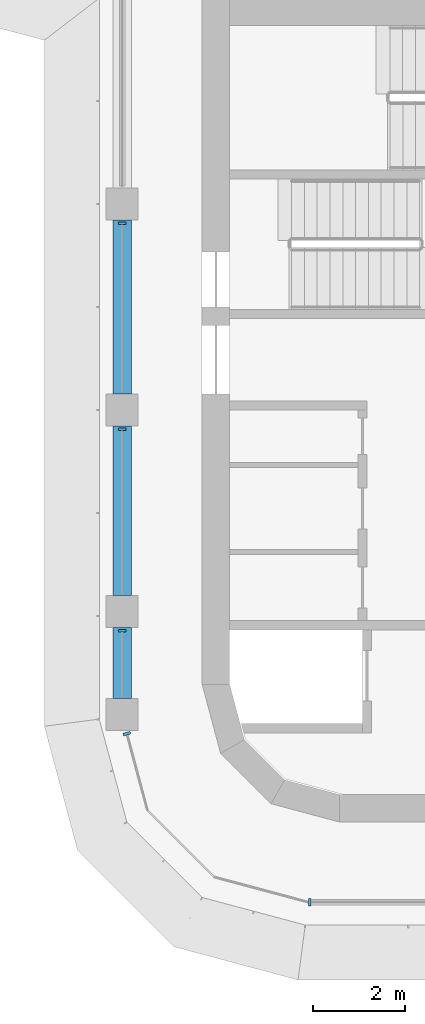
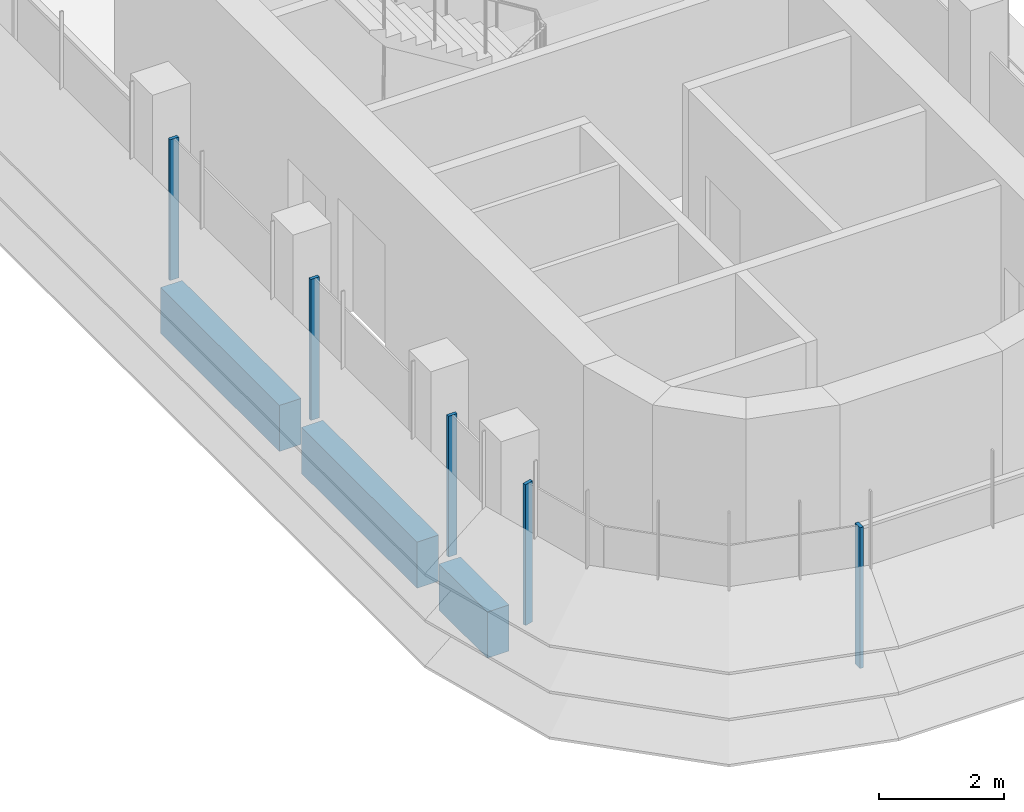
# One storey, part 2 of 19: 5 members, 3 beams, 3 elements without a shape of their own.
"""IFC4 building model written with IfcOpenShell, lengths in metres."""

from ifc_helpers import new_model, si_unit, direction, frame, origin, origin_2d, place, context, subcontext, project, spatial, polyline, rectangle, outline, extrude, source, transform, mapped, material, material_profile, profile_set, type_object, element, aggregate, save


model = new_model("IFC4")

# Units and contexts
model_context = context("Model", 3, precision=1e-05, world=origin(), true_north=direction((0.0, 1.0)))
body_context = subcontext(model_context, "Body", "Model", "MODEL_VIEW")
ifc_project = project(units=[si_unit("LENGTHUNIT", "METRE"), si_unit("AREAUNIT", "SQUARE_METRE"), si_unit("VOLUMEUNIT", "CUBIC_METRE"), si_unit("PLANEANGLEUNIT", "RADIAN"), si_unit("MASSUNIT", "GRAM", prefix="KILO")], contexts=[model_context])

# Site, building, storey
site_placement = place(None, origin())
site = spatial("IfcSite", under=ifc_project, at=site_placement, CompositionType="ELEMENT")
building_placement = place(site_placement, origin())
building = spatial("IfcBuilding", under=site, at=building_placement, Name="Zarbagh Exchange Tower", CompositionType="ELEMENT")
storey_placement = place(building_placement, frame((0.0, 0.0, 195.39990234375)))
storey = spatial("IfcBuildingStorey", under=building, at=storey_placement, Name="L47", CompositionType="ELEMENT", Elevation=195.39990234375)

# Beams
ifc_material_1 = material(Name="Concrete C50/60", Category="concrete")
ifc_material_profile = material_profile(ifc_material_1, rectangle(XDim=0.39990234375, YDim=0.89990234375, at=origin_2d()), Name="RC spandrel beam 400 x 900 C50/60")
ifc_profile_set = profile_set([ifc_material_profile], Name="Concrete C50/60")
beam_type = type_object("IfcBeamType", Name="RC spandrel beam 400 x 900 C50/60", PredefinedType="SPANDREL", material=ifc_profile_set)
beam_1_placement = place(storey_placement, frame((-6.25, -26.550048828125, -0.599853515625), z_axis=(0.0, 1.0, 0.0), x_axis=(-1.0, 0.0, 0.0)))
element("IfcBeam", 1, at=beam_1_placement, inside=storey, type_object=beam_type, Name="RC spandrel beam", PredefinedType="SPANDREL", context=body_context, shape_type="SweptSolid", body=[
    extrude(rectangle(XDim=0.39990234375, YDim=0.89990234375, at=origin_2d()), origin(), (0.0, 0.0, 1.0), 1.550048828125),
])
beam_2_placement = place(storey_placement, frame((-6.25, -24.300048828125, -0.599853515625), z_axis=(0.0, 1.0, 0.0), x_axis=(-1.0, 0.0, 0.0)))
element("IfcBeam", 2, at=beam_2_placement, inside=storey, type_object=beam_type, Name="RC spandrel beam", PredefinedType="SPANDREL", context=body_context, shape_type="SweptSolid", body=[
    extrude(rectangle(XDim=0.39990234375, YDim=0.89990234375, at=origin_2d()), origin(), (0.0, 0.0, 1.0), 3.699951171875),
])
beam_3_placement = place(storey_placement, frame((-6.25, -19.89990234375, -0.599853515625), z_axis=(0.0, 1.0, 0.0), x_axis=(-1.0, 0.0, 0.0)))
element("IfcBeam", 3, at=beam_3_placement, inside=storey, type_object=beam_type, Name="RC spandrel beam", PredefinedType="SPANDREL", context=body_context, shape_type="SweptSolid", body=[
    extrude(rectangle(XDim=0.39990234375, YDim=0.89990234375, at=origin_2d()), origin(), (0.0, 0.0, 1.0), 3.7998046875),
])

# Curtain wall, members
ifc_material_2 = material(Name="Anodised aluminium frame and glazing", Category="aluminium")
curtain_wall_type = type_object("IfcCurtainWallType", Name="CWB Ribbon glazing, upper zones", PredefinedType="NOTDEFINED", material=ifc_material_2)
curtain_wall_1_placement = place(storey_placement, origin())
curtain_wall_1 = element("IfcCurtainWall", 4, at=curtain_wall_1_placement, inside=storey, type_object=curtain_wall_type, Name="CWB53 curtain wall", PredefinedType="NOTDEFINED")
ifc_material_3 = material(Name="Anodised aluminium frame", Category="aluminium")
member_type = type_object("IfcMemberType", Name="MUB Mullion, anodised aluminium frame", PredefinedType="MULLION", material=ifc_material_3)
shared_shape = source(origin(), body_context, "Body", "SweptSolid", [
    extrude(outline(polyline([(0.0, -0.080078125), (0.06005859375, -0.080078125), (0.06005859375, 0.080078125), (0.0, 0.080078125), (0.0, -0.080078125)])), origin(), (0.0, 0.0, 1.0), 2.75),
])
placement = place(storey_placement, origin())
member_1 = element("IfcMember", 5, at=placement, type_object=member_type, Name="CWB53 mullion 2.1", PredefinedType="MULLION", context=body_context, shape_type="MappedRepresentation", body=[
    mapped(shared_shape, transform((-6.25, -16.14013671875, 0.0), x_axis=(0.0, -1.0, 0.0), y_axis=(1.0, 0.0, 0.0), z_axis=(0.0, 0.0, 1.0))),
])
member_2 = element("IfcMember", 6, at=placement, type_object=member_type, Name="CWB53 mullion 3.1", PredefinedType="MULLION", context=body_context, shape_type="MappedRepresentation", body=[
    mapped(shared_shape, transform((-6.25, -20.64013671875, 0.0), x_axis=(0.0, -1.0, 0.0), y_axis=(1.0, 0.0, 0.0), z_axis=(0.0, 0.0, 1.0))),
])
member_3 = element("IfcMember", 7, at=placement, type_object=member_type, Name="CWB53 mullion 4.1", PredefinedType="MULLION", context=body_context, shape_type="MappedRepresentation", body=[
    mapped(shared_shape, transform((-6.25, -25.0400390625, 0.0), x_axis=(0.0, -1.0, 0.0), y_axis=(1.0, 0.0, 0.0), z_axis=(0.0, 0.0, 1.0))),
])
aggregate(curtain_wall_1, [member_1, member_2, member_3])

# Curtain wall, member
curtain_wall_2_placement = place(storey_placement, origin())
curtain_wall_2 = element("IfcCurtainWall", 8, at=curtain_wall_2_placement, inside=storey, type_object=curtain_wall_type, Name="CWB54 curtain wall", PredefinedType="NOTDEFINED")
member_4 = element("IfcMember", 9, at=placement, type_object=member_type, Name="CWB54 mullion 1.1", PredefinedType="MULLION", context=body_context, shape_type="MappedRepresentation", body=[
    mapped(shared_shape, transform((-6.154541015625, -27.2900390625, 0.0), x_axis=(0.258824779902, -0.965924289636, 0.0), y_axis=(0.965924289636, 0.258824779902, 0.0), z_axis=(0.0, 0.0, 1.0))),
])
aggregate(curtain_wall_2, [member_4])

curtain_wall_3_placement = place(storey_placement, origin())
curtain_wall_3 = element("IfcCurtainWall", 10, at=curtain_wall_3_placement, inside=storey, type_object=curtain_wall_type, Name="CWB57 curtain wall", PredefinedType="NOTDEFINED")
member_5 = element("IfcMember", 11, at=placement, type_object=member_type, Name="CWB57 mullion 1.1", PredefinedType="MULLION", context=body_context, shape_type="MappedRepresentation", body=[
    mapped(shared_shape, transform((-2.18408203125, -31.0, 0.0), x_axis=(1.0, 0.0, 0.0), y_axis=(0.0, 1.0, 0.0), z_axis=(0.0, 0.0, 1.0))),
])
aggregate(curtain_wall_3, [member_5])

save(model, "model.ifc")
